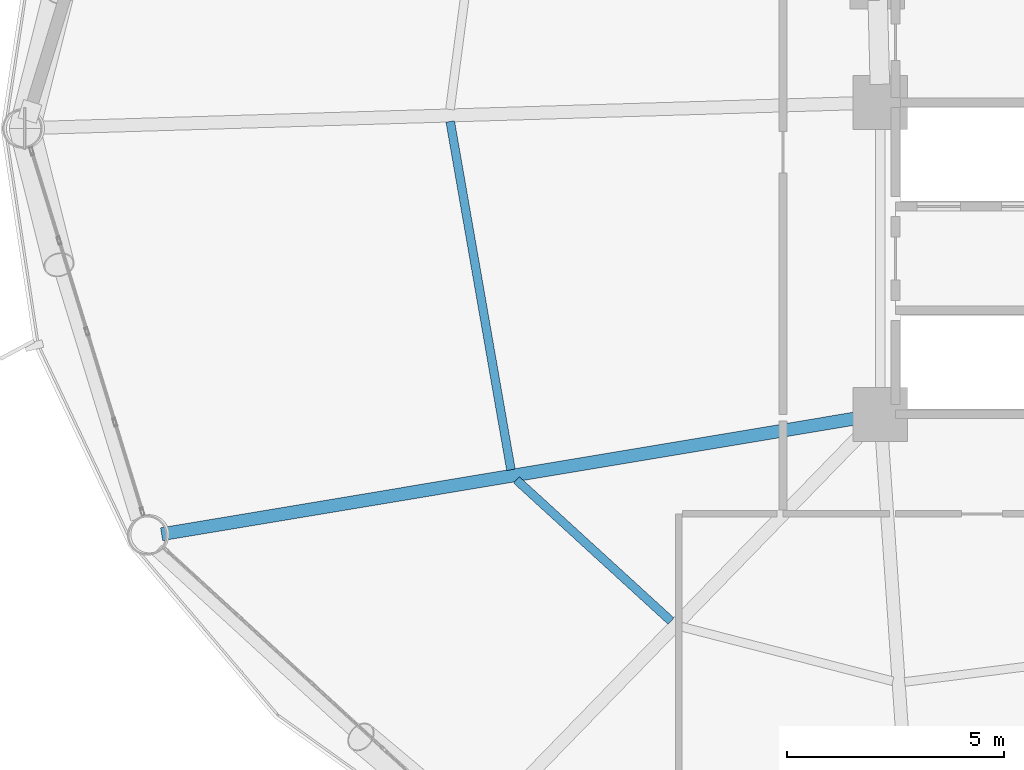
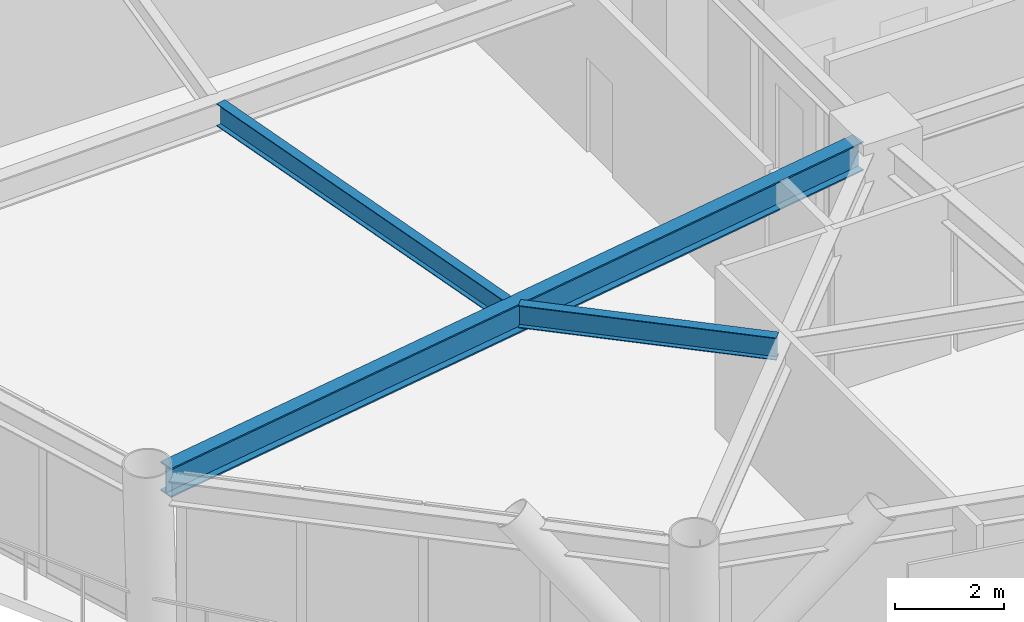
# One storey, part 6 of 25: 3 beams.
"""IFC4 building model written with IfcOpenShell, lengths in metres."""

from ifc_helpers import new_model, si_unit, direction, frame, origin, origin_2d, place, context, subcontext, project, spatial, i_section, extrude, material, material_profile, profile_set, type_object, element, save


model = new_model("IFC4")

# Units and contexts
model_context = context("Model", 3, precision=1e-05, world=origin(), true_north=direction((0.0, 1.0)))
body_context = subcontext(model_context, "Body", "Model", "MODEL_VIEW")
ifc_project = project(units=[si_unit("LENGTHUNIT", "METRE"), si_unit("AREAUNIT", "SQUARE_METRE"), si_unit("VOLUMEUNIT", "CUBIC_METRE"), si_unit("PLANEANGLEUNIT", "RADIAN"), si_unit("MASSUNIT", "GRAM", prefix="KILO")], contexts=[model_context])

# Site, building, storey
site_placement = place(None, origin())
site = spatial("IfcSite", under=ifc_project, at=site_placement, CompositionType="ELEMENT")
building_placement = place(site_placement, origin())
building = spatial("IfcBuilding", under=site, at=building_placement, Name="Varnakorn Sky Granary", CompositionType="ELEMENT")
storey_placement = place(building_placement, frame((0.0, 0.0, 39.300048828125)))
storey = spatial("IfcBuildingStorey", under=building, at=storey_placement, Name="L09", CompositionType="ELEMENT", Elevation=39.300048828125)

# Beams
ifc_material = material(Name="Steel S355JR", Category="steel")
ifc_material_profile_1 = material_profile(ifc_material, i_section(OverallWidth=0.300048828125, OverallDepth=0.64990234375, WebThickness=0.01611328125, FlangeThickness=0.031005859375, at=origin_2d()), Name="HE 650 B")
ifc_profile_set_1 = profile_set([ifc_material_profile_1], Name="Steel S355JR")
beam_type_1 = type_object("IfcBeamType", Name="BM-RAD-Z1", PredefinedType="BEAM", material=ifc_profile_set_1)
beam_1_placement = place(storey_placement, frame((-2.764404296875, -6.669189453125, 3.31494140625), z_axis=(-0.986362128469, -0.164589645851, 0.0), x_axis=(0.164589645851, -0.986362128469, 0.0)))
element("IfcBeam", 1, at=beam_1_placement, inside=storey, type_object=beam_type_1, Name="Radial Floor Girder RG08 L09", PredefinedType="BEAM", context=body_context, shape_type="SweptSolid", body=[
    extrude(i_section(OverallWidth=0.300048828125, OverallDepth=0.64990234375, WebThickness=0.01611328125, FlangeThickness=0.031005859375, at=origin_2d()), origin(), (0.0, 0.0, 1.0), 16.404052734375),
])
ifc_material_profile_2 = material_profile(ifc_material, i_section(OverallWidth=0.199951171875, OverallDepth=0.5, WebThickness=0.01025390625, FlangeThickness=0.01611328125, at=origin_2d()), Name="IPE 500")
ifc_profile_set_2 = profile_set([ifc_material_profile_2], Name="Steel S355JR")
beam_type_2 = type_object("IfcBeamType", Name="BM-SEC-Z1", PredefinedType="BEAM", material=ifc_profile_set_2)
beam_2_placement = place(storey_placement, frame((-12.281005859375, 0.162353515625, 3.389892578125), z_axis=(0.171755064273, -0.985139684459, 0.0), x_axis=(0.985139684459, 0.171755064273, 0.0)))
element("IfcBeam", 2, at=beam_2_placement, inside=storey, type_object=beam_type_2, Name="Secondary Floor Chord Beam MSB07 L09", PredefinedType="BEAM", context=body_context, shape_type="SweptSolid", body=[
    extrude(i_section(OverallWidth=0.199951171875, OverallDepth=0.5, WebThickness=0.01025390625, FlangeThickness=0.01611328125, at=origin_2d()), origin(), (0.0, 0.0, 1.0), 8.164794921875),
])
beam_3_placement = place(storey_placement, frame((-10.751220703125, -8.113525390625, 3.389892578125), z_axis=(0.73820554708, -0.674575844705, 0.0), x_axis=(0.674575844705, 0.73820554708, 0.0)))
element("IfcBeam", 3, at=beam_3_placement, inside=storey, type_object=beam_type_2, Name="Secondary Floor Chord Beam MSB08 L09", PredefinedType="BEAM", context=body_context, shape_type="SweptSolid", body=[
    extrude(i_section(OverallWidth=0.199951171875, OverallDepth=0.5, WebThickness=0.01025390625, FlangeThickness=0.01611328125, at=origin_2d()), origin(), (0.0, 0.0, 1.0), 4.83447265625),
])

save(model, "model.ifc")
